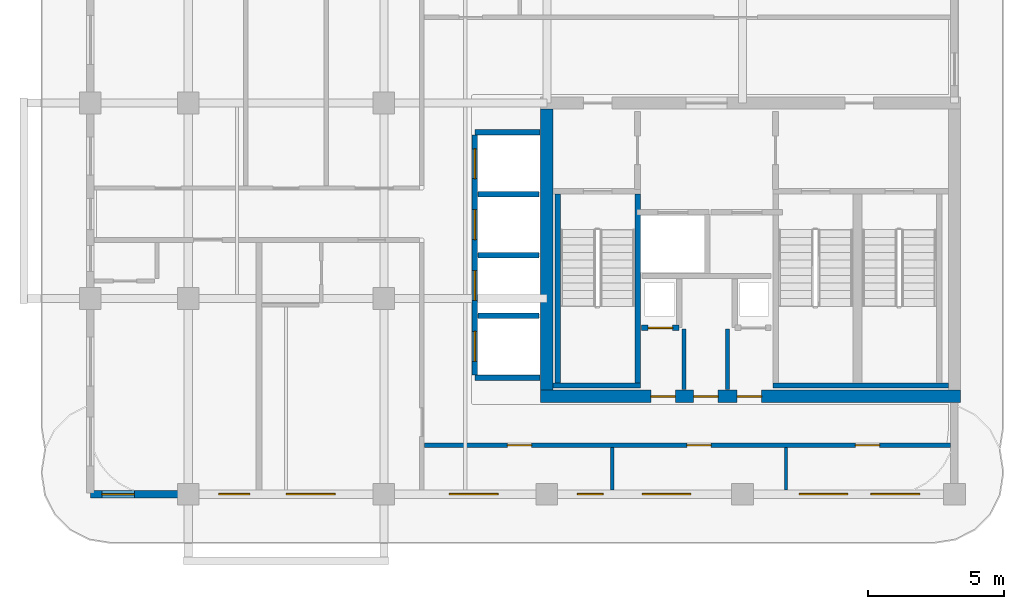
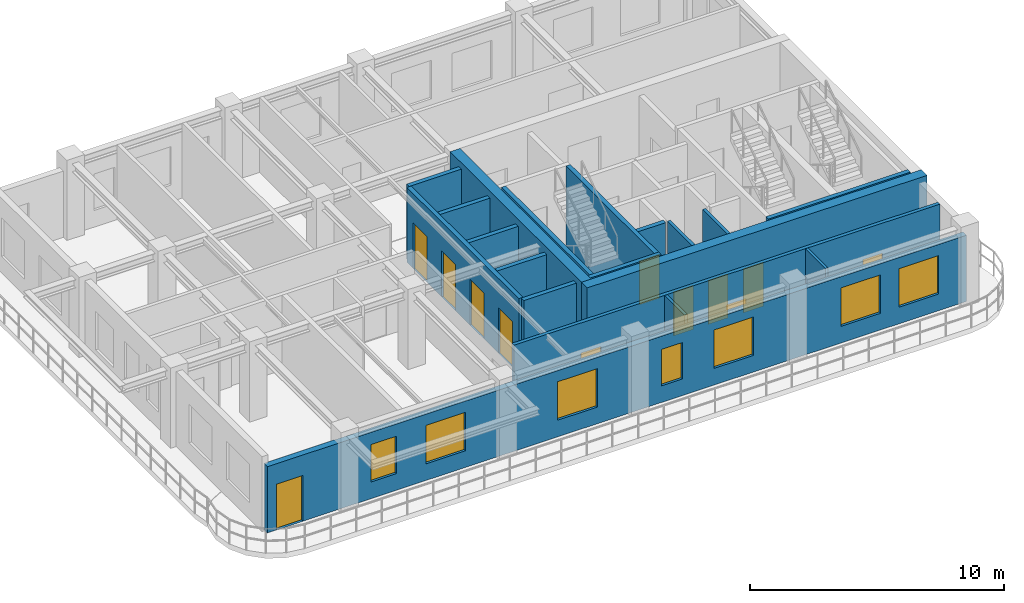
# One storey, part 3 of 7: 19 walls, 12 doors, 7 windows, 19 openings.
"""IFC4 building model written with IfcOpenShell, lengths in metres."""

from ifc_helpers import new_model, si_unit, derived_unit, direction, frame, frame_2d, origin, place, context, subcontext, project, spatial, rectangle, extrude, source, transform, mapped, material, layer, layer_set, type_object, type_shapes, element, fill, save


model = new_model("IFC4")

# Units and contexts
model_context = context("Model", 3, precision=1e-05, world=origin(), true_north=direction((0.0, 1.0)))
body_context = subcontext(model_context, "Body", "Model", "MODEL_VIEW")
ifc_project = project(units=[si_unit("LENGTHUNIT", "METRE"), si_unit("AREAUNIT", "SQUARE_METRE"), si_unit("VOLUMEUNIT", "CUBIC_METRE"), si_unit("PLANEANGLEUNIT", "RADIAN"), si_unit("MASSUNIT", "GRAM", prefix="KILO"), si_unit("THERMODYNAMICTEMPERATUREUNIT", "KELVIN"), si_unit("POWERUNIT", "WATT"), derived_unit("THERMALTRANSMITTANCEUNIT", [(si_unit("POWERUNIT", "WATT"), 1), (si_unit("AREAUNIT", "SQUARE_METRE"), -1), (si_unit("THERMODYNAMICTEMPERATUREUNIT", "KELVIN"), -1)])], contexts=[model_context])

# Site, building, storey
site_placement = place(None, origin())
site = spatial("IfcSite", under=ifc_project, at=site_placement, CompositionType="ELEMENT")
building_placement = place(site_placement, origin())
building = spatial("IfcBuilding", under=site, at=building_placement, Name="Zahravan Archway Hotel and Residences", CompositionType="ELEMENT")
storey_placement = place(building_placement, frame((0.0, 0.0, 267.35009765625)))
storey = spatial("IfcBuildingStorey", under=building, at=storey_placement, Name="L67", CompositionType="ELEMENT", Elevation=267.35009765625)

# Wall, openings, doors
ifc_material_1 = material(Name="Concrete C50/60", Category="concrete")
ifc_layer_1 = layer(ifc_material_1, 0.449951171875, Name="Concrete C50/60", Category="concrete")
ifc_layer_set_1 = layer_set([ifc_layer_1], Name="Concrete C50/60")
wall_type_1 = type_object("IfcWallType", Name="CW-CORE-450", PredefinedType="SHEAR", material=ifc_layer_set_1)
wall_1_placement = place(storey_placement, frame((34.574951171875, 3.60009765625, 0.0), z_axis=(0.0, 0.0, 1.0), x_axis=(1.0, 0.0, 0.0)))
wall_1 = element("IfcWall", 1, at=wall_1_placement, inside=storey, type_object=wall_type_1, Name="L67 Core A Shear S Wall 450 mm", PredefinedType="SHEAR", context=body_context, shape_type="SweptSolid", body=[
    extrude(rectangle(XDim=15.449951171875, YDim=0.449951171875, at=frame_2d((7.72509765625, 0.0))), origin(), (0.0, 0.0, 1.0), 3.849853515625),
])
opening_1_placement = place(wall_1_placement, frame((4.054931640625, 0.0, 0.0)))
opening_1 = element("IfcOpeningElement", 2, at=opening_1_placement, cuts=wall_1, Name="Opening FD-R1", PredefinedType="OPENING", context=body_context, shape_type="SweptSolid", body=[
    extrude(rectangle(XDim=0.89990234375, YDim=2.10009765625, at=frame_2d((0.449951171875, 1.050048828125))), frame((0.0, 0.23486328125, 0.0), z_axis=(0.0, -1.0, 0.0), x_axis=(1.0, 0.0, 0.0)), (0.0, 0.0, 1.0), 0.469970703125),
])
opening_2_placement = place(wall_1_placement, frame((5.625, 0.0, 0.0)))
opening_2 = element("IfcOpeningElement", 3, at=opening_2_placement, cuts=wall_1, Name="Opening FD-R1", PredefinedType="OPENING", context=body_context, shape_type="SweptSolid", body=[
    extrude(rectangle(XDim=0.89990234375, YDim=2.10009765625, at=frame_2d((0.449951171875, 1.050048828125))), frame((0.0, 0.23486328125, 0.0), z_axis=(0.0, -1.0, 0.0), x_axis=(1.0, 0.0, 0.0)), (0.0, 0.0, 1.0), 0.469970703125),
])
opening_3_placement = place(wall_1_placement, frame((7.22509765625, 0.0, 0.0)))
opening_3 = element("IfcOpeningElement", 4, at=opening_3_placement, cuts=wall_1, Name="Opening FD-R1", PredefinedType="OPENING", context=body_context, shape_type="SweptSolid", body=[
    extrude(rectangle(XDim=0.89990234375, YDim=2.10009765625, at=frame_2d((0.449951171875, 1.050048828125))), frame((0.0, 0.23486328125, 0.0), z_axis=(0.0, -1.0, 0.0), x_axis=(1.0, 0.0, 0.0)), (0.0, 0.0, 1.0), 0.469970703125),
])
ifc_material_2 = material(Name="Fire-Rated Painted Steel", Category="steel")
door_type_1 = type_object("IfcDoorType", Name="FD-RISER-900", OperationType="NOTDEFINED", PredefinedType="DOOR", material=ifc_material_2)
shared_shape_1 = source(origin(), body_context, "Body", "SweptSolid", [
    extrude(rectangle(XDim=0.89990234375, YDim=2.10009765625, at=frame_2d((0.449951171875, 1.050048828125))), frame((0.0, 0.02490234375, 0.0), z_axis=(0.0, -1.0, 0.0), x_axis=(1.0, 0.0, 0.0)), (0.0, 0.0, 1.0), 0.050048828125),
])
type_shapes(door_type_1, [shared_shape_1])
door_1_placement = place(opening_1_placement, origin())
door_1 = element("IfcDoor", 5, at=door_1_placement, inside=storey, type_object=door_type_1, Name="L67 Linen Store Door", OperationType="SINGLE_SWING_RIGHT", OverallHeight=2.10009765625, OverallWidth=0.89990234375, PredefinedType="DOOR", context=body_context, shape_type="MappedRepresentation", body=[
    mapped(shared_shape_1, transform((0.0, 0.0, 0.0), scale=1.0)),
])
fill(opening_1, door_1)
door_2_placement = place(opening_2_placement, origin())
door_2 = element("IfcDoor", 6, at=door_2_placement, inside=storey, type_object=door_type_1, Name="L67 Housekeeping Store Door", OperationType="SINGLE_SWING_LEFT", OverallHeight=2.10009765625, OverallWidth=0.89990234375, PredefinedType="DOOR", context=body_context, shape_type="MappedRepresentation", body=[
    mapped(shared_shape_1, transform((0.0, 0.0, 0.0), scale=1.0)),
])
fill(opening_2, door_2)
door_3_placement = place(opening_3_placement, origin())
door_3 = element("IfcDoor", 7, at=door_3_placement, inside=storey, type_object=door_type_1, Name="L67 Janitor Store Door", OperationType="SINGLE_SWING_RIGHT", OverallHeight=2.10009765625, OverallWidth=0.89990234375, PredefinedType="DOOR", context=body_context, shape_type="MappedRepresentation", body=[
    mapped(shared_shape_1, transform((0.0, 0.0, 0.0), scale=1.0)),
])
fill(opening_3, door_3)

# Wall
wall_2_placement = place(storey_placement, frame((34.800048828125, 3.824951171875, 0.0), z_axis=(0.0, 0.0, 1.0), x_axis=(0.0, 1.0, 0.0)))
element("IfcWall", 8, at=wall_2_placement, inside=storey, type_object=wall_type_1, Name="L67 Core A Shear W Wall 450 mm", PredefinedType="SHEAR", context=body_context, shape_type="SweptSolid", body=[
    extrude(rectangle(XDim=10.35009765625, YDim=0.449951171875, at=frame_2d((5.175048828125, 0.0))), origin(), (0.0, 0.0, 1.0), 3.849853515625),
])

# Wall, openings, door, windows
ifc_material_3 = material(Name="Honed Red-Ochre Sandstone & Insulated Block", Category="masonry")
ifc_layer_2 = layer(ifc_material_3, 0.280029296875, Name="Honed Red-Ochre Sandstone & Insulated Block", Category="masonry")
ifc_layer_set_2 = layer_set([ifc_layer_2], Name="Honed Red-Ochre Sandstone & Insulated Block")
wall_type_2 = type_object("IfcWallType", Name="EW-LOG-280", PredefinedType="SOLIDWALL", material=ifc_layer_set_2)
wall_3_placement = place(storey_placement, frame((18.0, 0.0, 0.0), z_axis=(0.0, 0.0, 1.0), x_axis=(1.0, 0.0, 0.0)))
wall_3 = element("IfcWall", 9, at=wall_3_placement, inside=storey, type_object=wall_type_2, Name="L67 Exterior Sandstone Wall WA-S", PredefinedType="SOLIDWALL", context=body_context, shape_type="SweptSolid", body=[
    extrude(rectangle(XDim=31.800048828125, YDim=0.280029296875, at=frame_2d((15.89990234375, 0.0))), origin(), (0.0, 0.0, 1.0), 3.184814453125),
])
opening_4_placement = place(wall_3_placement, frame((0.419921875, 0.0, 0.0)))
opening_4 = element("IfcOpeningElement", 10, at=opening_4_placement, cuts=wall_3, Name="Opening ED-BL1", PredefinedType="OPENING", context=body_context, shape_type="SweptSolid", body=[
    extrude(rectangle(XDim=1.199951171875, YDim=2.199951171875, at=frame_2d((0.60009765625, 1.10009765625))), frame((0.0, 0.14990234375, 0.0), z_axis=(0.0, -1.0, 0.0), x_axis=(1.0, 0.0, 0.0)), (0.0, 0.0, 1.0), 0.300048828125),
])
opening_5_placement = place(wall_3_placement, frame((4.720947265625, 0.0, 0.800048828125)))
opening_5 = element("IfcOpeningElement", 11, at=opening_5_placement, cuts=wall_3, Name="Opening W-05", PredefinedType="OPENING", context=body_context, shape_type="SweptSolid", body=[
    extrude(rectangle(XDim=1.14990234375, YDim=1.800048828125, at=frame_2d((0.574951171875, 0.89990234375))), frame((0.0, 0.14990234375, 0.0), z_axis=(0.0, -1.0, 0.0), x_axis=(1.0, 0.0, 0.0)), (0.0, 0.0, 1.0), 0.300048828125),
])
opening_6_placement = place(wall_3_placement, frame((7.2041015625, 0.0, 0.800048828125)))
opening_6 = element("IfcOpeningElement", 12, at=opening_6_placement, cuts=wall_3, Name="Opening W-02", PredefinedType="OPENING", context=body_context, shape_type="SweptSolid", body=[
    extrude(rectangle(XDim=1.800048828125, YDim=1.85009765625, at=frame_2d((0.89990234375, 0.925048828125))), frame((0.0, 0.14990234375, 0.0), z_axis=(0.0, -1.0, 0.0), x_axis=(1.0, 0.0, 0.0)), (0.0, 0.0, 1.0), 0.300048828125),
])
opening_7_placement = place(wall_3_placement, frame((13.2041015625, 0.0, 0.800048828125)))
opening_7 = element("IfcOpeningElement", 13, at=opening_7_placement, cuts=wall_3, Name="Opening W-02", PredefinedType="OPENING", context=body_context, shape_type="SweptSolid", body=[
    extrude(rectangle(XDim=1.800048828125, YDim=1.85009765625, at=frame_2d((0.89990234375, 0.925048828125))), frame((0.0, 0.14990234375, 0.0), z_axis=(0.0, -1.0, 0.0), x_axis=(1.0, 0.0, 0.0)), (0.0, 0.0, 1.0), 0.300048828125),
])
opening_8_placement = place(wall_3_placement, frame((17.9208984375, 0.0, 0.800048828125)))
opening_8 = element("IfcOpeningElement", 14, at=opening_8_placement, cuts=wall_3, Name="Opening W-04", PredefinedType="OPENING", context=body_context, shape_type="SweptSolid", body=[
    extrude(rectangle(XDim=0.949951171875, YDim=1.75, at=frame_2d((0.47509765625, 0.875))), frame((0.0, 0.14990234375, 0.0), z_axis=(0.0, -1.0, 0.0), x_axis=(1.0, 0.0, 0.0)), (0.0, 0.0, 1.0), 0.300048828125),
])
opening_9_placement = place(wall_3_placement, frame((20.303955078125, 0.0, 0.800048828125)))
opening_9 = element("IfcOpeningElement", 15, at=opening_9_placement, cuts=wall_3, Name="Opening W-02", PredefinedType="OPENING", context=body_context, shape_type="SweptSolid", body=[
    extrude(rectangle(XDim=1.800048828125, YDim=1.85009765625, at=frame_2d((0.89990234375, 0.925048828125))), frame((0.0, 0.14990234375, 0.0), z_axis=(0.0, -1.0, 0.0), x_axis=(1.0, 0.0, 0.0)), (0.0, 0.0, 1.0), 0.300048828125),
])
opening_10_placement = place(wall_3_placement, frame((26.0810546875, 0.0, 0.800048828125)))
opening_10 = element("IfcOpeningElement", 16, at=opening_10_placement, cuts=wall_3, Name="Opening W-02", PredefinedType="OPENING", context=body_context, shape_type="SweptSolid", body=[
    extrude(rectangle(XDim=1.800048828125, YDim=1.85009765625, at=frame_2d((0.89990234375, 0.925048828125))), frame((0.0, 0.14990234375, 0.0), z_axis=(0.0, -1.0, 0.0), x_axis=(1.0, 0.0, 0.0)), (0.0, 0.0, 1.0), 0.300048828125),
])
opening_11_placement = place(wall_3_placement, frame((28.72705078125, 0.0, 0.800048828125)))
opening_11 = element("IfcOpeningElement", 17, at=opening_11_placement, cuts=wall_3, Name="Opening W-02", PredefinedType="OPENING", context=body_context, shape_type="SweptSolid", body=[
    extrude(rectangle(XDim=1.800048828125, YDim=1.85009765625, at=frame_2d((0.89990234375, 0.925048828125))), frame((0.0, 0.14990234375, 0.0), z_axis=(0.0, -1.0, 0.0), x_axis=(1.0, 0.0, 0.0)), (0.0, 0.0, 1.0), 0.300048828125),
])
ifc_material_4 = material(Name="Bronze-Anodized Glazed Aluminium", Category="aluminium")
door_type_2 = type_object("IfcDoorType", Name="ED-BALC-1200", OperationType="SLIDING_TO_LEFT", PredefinedType="DOOR", material=ifc_material_4)
shared_shape_2 = source(origin(), body_context, "Body", "SweptSolid", [
    extrude(rectangle(XDim=1.199951171875, YDim=2.199951171875, at=frame_2d((0.60009765625, 1.10009765625))), frame((0.0, 0.02490234375, 0.0), z_axis=(0.0, -1.0, 0.0), x_axis=(1.0, 0.0, 0.0)), (0.0, 0.0, 1.0), 0.050048828125),
])
type_shapes(door_type_2, [shared_shape_2])
door_4_placement = place(opening_4_placement, origin())
door_4 = element("IfcDoor", 18, at=door_4_placement, inside=storey, type_object=door_type_2, Name="L67 Outdoor Access Sliding Door (SLB-BAL-L67-SA)", OperationType="SLIDING_TO_LEFT", OverallHeight=2.199951171875, OverallWidth=1.199951171875, PredefinedType="DOOR", context=body_context, shape_type="MappedRepresentation", body=[
    mapped(shared_shape_2, transform((0.0, 0.0, 0.0), scale=1.0)),
])
fill(opening_4, door_4)
ifc_material_5 = material(Name="Bronze-Anodized Thermal-Break Aluminium & Low-E Glass", Category="aluminium")
window_type_1 = type_object("IfcWindowType", Name="WIN-NAR-950", PartitioningType="SINGLE_PANEL", PredefinedType="WINDOW", material=ifc_material_5)
shared_shape_3 = source(origin(), body_context, "Body", "SweptSolid", [
    extrude(rectangle(XDim=0.949951171875, YDim=1.75, at=frame_2d((0.47509765625, 0.875))), frame((0.0, 0.030029296875, 0.0), z_axis=(0.0, -1.0, 0.0), x_axis=(1.0, 0.0, 0.0)), (0.0, 0.0, 1.0), 0.06005859375),
])
type_shapes(window_type_1, [shared_shape_3])
window_1_placement = place(opening_8_placement, origin())
window_1 = element("IfcWindow", 19, at=window_1_placement, inside=storey, type_object=window_type_1, Name="L67 Loggia Window 04", OverallHeight=1.75, OverallWidth=0.949951171875, PartitioningType="SINGLE_PANEL", PredefinedType="WINDOW", context=body_context, shape_type="MappedRepresentation", body=[
    mapped(shared_shape_3, transform((0.0, 0.0, 0.0), scale=1.0)),
])
fill(opening_8, window_1)
window_type_2 = type_object("IfcWindowType", Name="WIN-TWR-1800", PartitioningType="DOUBLE_PANEL_VERTICAL", PredefinedType="WINDOW", material=ifc_material_5)
shared_shape_4 = source(origin(), body_context, "Body", "SweptSolid", [
    extrude(rectangle(XDim=1.800048828125, YDim=1.85009765625, at=frame_2d((0.89990234375, 0.925048828125))), frame((0.0, 0.030029296875, 0.0), z_axis=(0.0, -1.0, 0.0), x_axis=(1.0, 0.0, 0.0)), (0.0, 0.0, 1.0), 0.06005859375),
])
type_shapes(window_type_2, [shared_shape_4])
window_2_placement = place(opening_6_placement, origin())
window_2 = element("IfcWindow", 20, at=window_2_placement, inside=storey, type_object=window_type_2, Name="L67 Loggia Window 02", OverallHeight=1.85009765625, OverallWidth=1.800048828125, PartitioningType="DOUBLE_PANEL_VERTICAL", PredefinedType="WINDOW", context=body_context, shape_type="MappedRepresentation", body=[
    mapped(shared_shape_4, transform((0.0, 0.0, 0.0), scale=1.0)),
])
fill(opening_6, window_2)
window_3_placement = place(opening_7_placement, origin())
window_3 = element("IfcWindow", 21, at=window_3_placement, inside=storey, type_object=window_type_2, Name="L67 Loggia Window 03", OverallHeight=1.85009765625, OverallWidth=1.800048828125, PartitioningType="DOUBLE_PANEL_VERTICAL", PredefinedType="WINDOW", context=body_context, shape_type="MappedRepresentation", body=[
    mapped(shared_shape_4, transform((0.0, 0.0, 0.0), scale=1.0)),
])
fill(opening_7, window_3)
window_4_placement = place(opening_9_placement, origin())
window_4 = element("IfcWindow", 22, at=window_4_placement, inside=storey, type_object=window_type_2, Name="L67 Loggia Window 05", OverallHeight=1.85009765625, OverallWidth=1.800048828125, PartitioningType="DOUBLE_PANEL_VERTICAL", PredefinedType="WINDOW", context=body_context, shape_type="MappedRepresentation", body=[
    mapped(shared_shape_4, transform((0.0, 0.0, 0.0), scale=1.0)),
])
fill(opening_9, window_4)
window_5_placement = place(opening_10_placement, origin())
window_5 = element("IfcWindow", 23, at=window_5_placement, inside=storey, type_object=window_type_2, Name="L67 Loggia Window 06", OverallHeight=1.85009765625, OverallWidth=1.800048828125, PartitioningType="DOUBLE_PANEL_VERTICAL", PredefinedType="WINDOW", context=body_context, shape_type="MappedRepresentation", body=[
    mapped(shared_shape_4, transform((0.0, 0.0, 0.0), scale=1.0)),
])
fill(opening_10, window_5)
window_6_placement = place(opening_11_placement, origin())
window_6 = element("IfcWindow", 24, at=window_6_placement, inside=storey, type_object=window_type_2, Name="L67 Loggia Window 07", OverallHeight=1.85009765625, OverallWidth=1.800048828125, PartitioningType="DOUBLE_PANEL_VERTICAL", PredefinedType="WINDOW", context=body_context, shape_type="MappedRepresentation", body=[
    mapped(shared_shape_4, transform((0.0, 0.0, 0.0), scale=1.0)),
])
fill(opening_11, window_6)
window_type_3 = type_object("IfcWindowType", Name="WIN-TWR-1150", PartitioningType="SINGLE_PANEL", PredefinedType="WINDOW", material=ifc_material_5)
shared_shape_5 = source(origin(), body_context, "Body", "SweptSolid", [
    extrude(rectangle(XDim=1.14990234375, YDim=1.800048828125, at=frame_2d((0.574951171875, 0.89990234375))), frame((0.0, 0.030029296875, 0.0), z_axis=(0.0, -1.0, 0.0), x_axis=(1.0, 0.0, 0.0)), (0.0, 0.0, 1.0), 0.06005859375),
])
type_shapes(window_type_3, [shared_shape_5])
window_7_placement = place(opening_5_placement, origin())
window_7 = element("IfcWindow", 25, at=window_7_placement, inside=storey, type_object=window_type_3, Name="L67 Loggia Window 01", OverallHeight=1.800048828125, OverallWidth=1.14990234375, PartitioningType="SINGLE_PANEL", PredefinedType="WINDOW", context=body_context, shape_type="MappedRepresentation", body=[
    mapped(shared_shape_5, transform((0.0, 0.0, 0.0), scale=1.0)),
])
fill(opening_5, window_7)

# Wall, openings, doors
ifc_material_6 = material(Name="Fire-Rated Gypsum & Concrete Block", Category="concrete")
ifc_layer_3 = layer(ifc_material_6, 0.159912109375, Name="Fire-Rated Gypsum & Concrete Block", Category="concrete")
ifc_layer_set_3 = layer_set([ifc_layer_3], Name="Fire-Rated Gypsum & Concrete Block")
wall_type_3 = type_object("IfcWallType", Name="PW-CORR-160", PredefinedType="PARTITIONING", material=ifc_layer_set_3)
wall_4_placement = place(storey_placement, frame((30.2900390625, 1.800048828125, 0.0), z_axis=(0.0, 0.0, 1.0), x_axis=(1.0, 0.0, 0.0)))
wall_4 = element("IfcWall", 26, at=wall_4_placement, inside=storey, type_object=wall_type_3, Name="L67 Partition WA-SRS", PredefinedType="PARTITIONING", context=body_context, shape_type="SweptSolid", body=[
    extrude(rectangle(XDim=19.369873046875, YDim=0.159912109375, at=frame_2d((9.68505859375, 0.0))), origin(), (0.0, 0.0, 1.0), 3.599853515625),
])
opening_12_placement = place(wall_4_placement, frame((3.0537109375, 0.0, 0.0)))
opening_12 = element("IfcOpeningElement", 27, at=opening_12_placement, cuts=wall_4, Name="Opening D-I2", PredefinedType="OPENING", context=body_context, shape_type="SweptSolid", body=[
    extrude(rectangle(XDim=0.89990234375, YDim=2.14990234375, at=frame_2d((0.449951171875, 1.074951171875))), frame((0.0, 0.08984375, 0.0), z_axis=(0.0, -1.0, 0.0), x_axis=(1.0, 0.0, 0.0)), (0.0, 0.0, 1.0), 0.179931640625),
])
opening_13_placement = place(wall_4_placement, frame((9.659912109375, 0.0, 0.0)))
opening_13 = element("IfcOpeningElement", 28, at=opening_13_placement, cuts=wall_4, Name="Opening D-I2", PredefinedType="OPENING", context=body_context, shape_type="SweptSolid", body=[
    extrude(rectangle(XDim=0.89990234375, YDim=2.14990234375, at=frame_2d((0.449951171875, 1.074951171875))), frame((0.0, 0.08984375, 0.0), z_axis=(0.0, -1.0, 0.0), x_axis=(1.0, 0.0, 0.0)), (0.0, 0.0, 1.0), 0.179931640625),
])
opening_14_placement = place(wall_4_placement, frame((15.860107421875, 0.0, 0.0)))
opening_14 = element("IfcOpeningElement", 29, at=opening_14_placement, cuts=wall_4, Name="Opening D-I2", PredefinedType="OPENING", context=body_context, shape_type="SweptSolid", body=[
    extrude(rectangle(XDim=0.89990234375, YDim=2.14990234375, at=frame_2d((0.449951171875, 1.074951171875))), frame((0.0, 0.08984375, 0.0), z_axis=(0.0, -1.0, 0.0), x_axis=(1.0, 0.0, 0.0)), (0.0, 0.0, 1.0), 0.179931640625),
])
ifc_material_7 = material(Name="Hardwood Veneer Timber", Category="wood")
door_type_3 = type_object("IfcDoorType", Name="ID-INT-900", OperationType="NOTDEFINED", PredefinedType="DOOR", material=ifc_material_7)
shared_shape_6 = source(origin(), body_context, "Body", "SweptSolid", [
    extrude(rectangle(XDim=0.89990234375, YDim=2.14990234375, at=frame_2d((0.449951171875, 1.074951171875))), frame((0.0, 0.02490234375, 0.0), z_axis=(0.0, -1.0, 0.0), x_axis=(1.0, 0.0, 0.0)), (0.0, 0.0, 1.0), 0.050048828125),
])
type_shapes(door_type_3, [shared_shape_6])
door_5_placement = place(opening_12_placement, origin())
door_5 = element("IfcDoor", 30, at=door_5_placement, inside=storey, type_object=door_type_3, Name="L67 South Office Door", OperationType="SINGLE_SWING_RIGHT", OverallHeight=2.14990234375, OverallWidth=0.89990234375, PredefinedType="DOOR", context=body_context, shape_type="MappedRepresentation", body=[
    mapped(shared_shape_6, transform((0.0, 0.0, 0.0), scale=1.0)),
])
fill(opening_12, door_5)
door_6_placement = place(opening_13_placement, origin())
door_6 = element("IfcDoor", 31, at=door_6_placement, inside=storey, type_object=door_type_3, Name="L67 South Meeting Door", OperationType="SINGLE_SWING_LEFT", OverallHeight=2.14990234375, OverallWidth=0.89990234375, PredefinedType="DOOR", context=body_context, shape_type="MappedRepresentation", body=[
    mapped(shared_shape_6, transform((0.0, 0.0, 0.0), scale=1.0)),
])
fill(opening_13, door_6)
door_7_placement = place(opening_14_placement, origin())
door_7 = element("IfcDoor", 32, at=door_7_placement, inside=storey, type_object=door_type_3, Name="L67 South Prayer Alcove Door", OperationType="SINGLE_SWING_RIGHT", OverallHeight=2.14990234375, OverallWidth=0.89990234375, PredefinedType="DOOR", context=body_context, shape_type="MappedRepresentation", body=[
    mapped(shared_shape_6, transform((0.0, 0.0, 0.0), scale=1.0)),
])
fill(opening_14, door_7)

# Walls
ifc_material_8 = material(Name="Acoustic Stud Partition")
ifc_layer_4 = layer(ifc_material_8, 0.125, Name="Acoustic Stud Partition")
ifc_layer_set_4 = layer_set([ifc_layer_4], Name="Acoustic Stud Partition")
wall_type_4 = type_object("IfcWallType", Name="PW-INT-125", PredefinedType="PARTITIONING", material=ifc_layer_set_4)
for number, where, z_axis, x_axis, name in (
    (33, (37.199951171875, 0.14794921875, 0.0), (0.0, 0.0, 1.0), (0.0, 1.0, 0.0), "L67 Partition S-DIV2A"),
    (34, (43.60009765625, 0.14794921875, 0.0), (0.0, 0.0, 1.0), (0.0, 1.0, 0.0), "L67 Partition S-DIV2B"),
):
    element("IfcWall", number, at=place(storey_placement, frame(where, z_axis=z_axis, x_axis=x_axis)), inside=storey, type_object=wall_type_4, Name=name, PredefinedType="PARTITIONING", context=body_context, shape_type="SweptSolid", body=[
        extrude(rectangle(XDim=1.56201171875, YDim=0.125, at=frame_2d((0.781005859375, 0.0))), origin(), (0.0, 0.0, 1.0), 3.599853515625),
    ])

# Wall, opening, door
ifc_layer_5 = layer(ifc_material_6, 0.199951171875, Name="Fire-Rated Gypsum & Concrete Block", Category="concrete")
ifc_layer_set_5 = layer_set([ifc_layer_5], Name="Fire-Rated Gypsum & Concrete Block")
wall_type_5 = type_object("IfcWallType", Name="PW-SHAFT-200", PredefinedType="PARTITIONING", material=ifc_layer_set_5)
wall_5_placement = place(storey_placement, frame((38.2900390625, 6.1201171875, 0.0), z_axis=(0.0, 0.0, 1.0), x_axis=(1.0, 0.0, 0.0)))
wall_5 = element("IfcWall", 35, at=wall_5_placement, inside=storey, type_object=wall_type_5, Name="L67 Partition CA-SMKS", PredefinedType="PARTITIONING", context=body_context, shape_type="SweptSolid", body=[
    extrude(rectangle(XDim=1.3798828125, YDim=0.199951171875, at=frame_2d((0.68994140625, 0.0))), origin(), (0.0, 0.0, 1.0), 3.599853515625),
])
opening_15_placement = place(wall_5_placement, frame((0.239990234375, 0.0, 0.0)))
opening_15 = element("IfcOpeningElement", 36, at=opening_15_placement, cuts=wall_5, Name="Opening FD-R1", PredefinedType="OPENING", context=body_context, shape_type="SweptSolid", body=[
    extrude(rectangle(XDim=0.89990234375, YDim=2.10009765625, at=frame_2d((0.449951171875, 1.050048828125))), frame((0.0, 0.10986328125, 0.0), z_axis=(0.0, -1.0, 0.0), x_axis=(1.0, 0.0, 0.0)), (0.0, 0.0, 1.0), 0.219970703125),
])
door_8_placement = place(opening_15_placement, origin())
door_8 = element("IfcDoor", 37, at=door_8_placement, inside=storey, type_object=door_type_1, Name="L67 Smoke Riser Access Door", OperationType="SINGLE_SWING_RIGHT", OverallHeight=2.10009765625, OverallWidth=0.89990234375, PredefinedType="DOOR", context=body_context, shape_type="MappedRepresentation", body=[
    mapped(shared_shape_1, transform((0.0, 0.0, 0.0), scale=1.0)),
])
fill(opening_15, door_8)

# Walls
for number, where, z_axis, x_axis, name in (
    (38, (32.159912109375, 4.280029296875, 0.0), (0.0, 0.0, 1.0), (1.0, 0.0, 0.0), "L67 Partition B3-S"),
    (39, (32.159912109375, 13.320068359375, 0.0), (0.0, 0.0, 1.0), (1.0, 0.0, 0.0), "L67 Partition B3-N"),
):
    element("IfcWall", number, at=place(storey_placement, frame(where, z_axis=z_axis, x_axis=x_axis)), inside=storey, type_object=wall_type_5, Name=name, PredefinedType="PARTITIONING", context=body_context, shape_type="SweptSolid", body=[
        extrude(rectangle(XDim=2.385009765625, YDim=0.199951171875, at=frame_2d((1.1923828125, 0.0))), origin(), (0.0, 0.0, 1.0), 3.599853515625),
    ])

# Wall, openings, doors
wall_6_placement = place(storey_placement, frame((32.14990234375, 4.389892578125, 0.0), z_axis=(0.0, 0.0, 1.0), x_axis=(0.0, 1.0, 0.0)))
wall_6 = element("IfcWall", 40, at=wall_6_placement, inside=storey, type_object=wall_type_5, Name="L67 Partition B3-W", PredefinedType="PARTITIONING", context=body_context, shape_type="SweptSolid", body=[
    extrude(rectangle(XDim=8.820068359375, YDim=0.199951171875, at=frame_2d((4.41015625, 0.0))), origin(), (0.0, 0.0, 1.0), 3.599853515625),
])
opening_16_placement = place(wall_6_placement, frame((0.5, 0.0, 0.0)))
opening_16 = element("IfcOpeningElement", 41, at=opening_16_placement, cuts=wall_6, Name="Opening LD", PredefinedType="OPENING", context=body_context, shape_type="SweptSolid", body=[
    extrude(rectangle(XDim=1.10009765625, YDim=2.199951171875, at=frame_2d((0.550048828125, 1.10009765625))), frame((0.0, 0.10986328125, 0.0), z_axis=(0.0, -1.0, 0.0), x_axis=(1.0, 0.0, 0.0)), (0.0, 0.0, 1.0), 0.219970703125),
])
opening_17_placement = place(wall_6_placement, frame((2.739990234375, 0.0, 0.0)))
opening_17 = element("IfcOpeningElement", 42, at=opening_17_placement, cuts=wall_6, Name="Opening LD", PredefinedType="OPENING", context=body_context, shape_type="SweptSolid", body=[
    extrude(rectangle(XDim=1.10009765625, YDim=2.199951171875, at=frame_2d((0.550048828125, 1.10009765625))), frame((0.0, 0.10986328125, 0.0), z_axis=(0.0, -1.0, 0.0), x_axis=(1.0, 0.0, 0.0)), (0.0, 0.0, 1.0), 0.219970703125),
])
opening_18_placement = place(wall_6_placement, frame((4.97998046875, 0.0, 0.0)))
opening_18 = element("IfcOpeningElement", 43, at=opening_18_placement, cuts=wall_6, Name="Opening LD", PredefinedType="OPENING", context=body_context, shape_type="SweptSolid", body=[
    extrude(rectangle(XDim=1.10009765625, YDim=2.199951171875, at=frame_2d((0.550048828125, 1.10009765625))), frame((0.0, 0.10986328125, 0.0), z_axis=(0.0, -1.0, 0.0), x_axis=(1.0, 0.0, 0.0)), (0.0, 0.0, 1.0), 0.219970703125),
])
opening_19_placement = place(wall_6_placement, frame((7.219970703125, 0.0, 0.0)))
opening_19 = element("IfcOpeningElement", 44, at=opening_19_placement, cuts=wall_6, Name="Opening LD", PredefinedType="OPENING", context=body_context, shape_type="SweptSolid", body=[
    extrude(rectangle(XDim=1.10009765625, YDim=2.199951171875, at=frame_2d((0.550048828125, 1.10009765625))), frame((0.0, 0.10986328125, 0.0), z_axis=(0.0, -1.0, 0.0), x_axis=(1.0, 0.0, 0.0)), (0.0, 0.0, 1.0), 0.219970703125),
])
ifc_material_9 = material(Name="Brushed Stainless Steel", Category="steel")
door_type_4 = type_object("IfcDoorType", Name="DR-LIFT-LD", OperationType="SLIDING_TO_LEFT", PredefinedType="DOOR", material=ifc_material_9)
shared_shape_7 = source(origin(), body_context, "Body", "SweptSolid", [
    extrude(rectangle(XDim=1.10009765625, YDim=2.199951171875, at=frame_2d((0.550048828125, 1.10009765625))), frame((0.0, 0.02490234375, 0.0), z_axis=(0.0, -1.0, 0.0), x_axis=(1.0, 0.0, 0.0)), (0.0, 0.0, 1.0), 0.050048828125),
])
type_shapes(door_type_4, [shared_shape_7])
door_9_placement = place(opening_16_placement, origin())
door_9 = element("IfcDoor", 45, at=door_9_placement, inside=storey, type_object=door_type_4, Name="L67 Lift LP-7 Sliding Landing Door", OperationType="SLIDING_TO_LEFT", OverallHeight=2.199951171875, OverallWidth=1.10009765625, PredefinedType="DOOR", context=body_context, shape_type="MappedRepresentation", body=[
    mapped(shared_shape_7, transform((0.0, 0.0, 0.0), scale=1.0)),
])
fill(opening_16, door_9)
door_10_placement = place(opening_17_placement, origin())
door_10 = element("IfcDoor", 46, at=door_10_placement, inside=storey, type_object=door_type_4, Name="L67 Lift LP-8 Sliding Landing Door", OperationType="SLIDING_TO_LEFT", OverallHeight=2.199951171875, OverallWidth=1.10009765625, PredefinedType="DOOR", context=body_context, shape_type="MappedRepresentation", body=[
    mapped(shared_shape_7, transform((0.0, 0.0, 0.0), scale=1.0)),
])
fill(opening_17, door_10)
door_11_placement = place(opening_18_placement, origin())
door_11 = element("IfcDoor", 47, at=door_11_placement, inside=storey, type_object=door_type_4, Name="L67 Lift LP-9 Sliding Landing Door", OperationType="SLIDING_TO_LEFT", OverallHeight=2.199951171875, OverallWidth=1.10009765625, PredefinedType="DOOR", context=body_context, shape_type="MappedRepresentation", body=[
    mapped(shared_shape_7, transform((0.0, 0.0, 0.0), scale=1.0)),
])
fill(opening_18, door_11)
door_12_placement = place(opening_19_placement, origin())
door_12 = element("IfcDoor", 48, at=door_12_placement, inside=storey, type_object=door_type_4, Name="L67 Lift LP-10 Sliding Landing Door", OperationType="SLIDING_TO_LEFT", OverallHeight=2.199951171875, OverallWidth=1.10009765625, PredefinedType="DOOR", context=body_context, shape_type="MappedRepresentation", body=[
    mapped(shared_shape_7, transform((0.0, 0.0, 0.0), scale=1.0)),
])
fill(opening_19, door_12)

# Walls
for number, where, z_axis, x_axis, name in (
    (49, (32.260009765625, 6.56005859375, 0.0), (0.0, 0.0, 1.0), (1.0, 0.0, 0.0), "L67 Partition B3-D"),
    (50, (32.260009765625, 8.800048828125, 0.0), (0.0, 0.0, 1.0), (1.0, 0.0, 0.0), "L67 Partition B3-D"),
    (51, (32.260009765625, 11.0400390625, 0.0), (0.0, 0.0, 1.0), (1.0, 0.0, 0.0), "L67 Partition B3-D"),
):
    element("IfcWall", number, at=place(storey_placement, frame(where, z_axis=z_axis, x_axis=x_axis)), inside=storey, type_object=wall_type_5, Name=name, PredefinedType="PARTITIONING", context=body_context, shape_type="SweptSolid", body=[
        extrude(rectangle(XDim=2.2548828125, YDim=0.199951171875, at=frame_2d((1.12744140625, 0.0))), origin(), (0.0, 0.0, 1.0), 3.599853515625),
    ])
ifc_material_10 = material(Name="Moisture-Resistant Blockwork", Category="masonry")
ifc_layer_6 = layer(ifc_material_10, 0.139892578125, Name="Moisture-Resistant Blockwork", Category="masonry")
ifc_layer_set_6 = layer_set([ifc_layer_6], Name="Moisture-Resistant Blockwork")
wall_type_6 = type_object("IfcWallType", Name="PW-WET-140", PredefinedType="PARTITIONING", material=ifc_layer_set_6)
for number, where, z_axis, x_axis, name in (
    (52, (39.85009765625, 3.844970703125, 0.0), (0.0, 0.0, 1.0), (0.0, 1.0, 0.0), "L67 Partition CA-CV1A"),
    (53, (41.449951171875, 3.844970703125, 0.0), (0.0, 0.0, 1.0), (0.0, 1.0, 0.0), "L67 Partition CA-CV1B"),
):
    element("IfcWall", number, at=place(storey_placement, frame(where, z_axis=z_axis, x_axis=x_axis)), inside=storey, type_object=wall_type_6, Name=name, PredefinedType="PARTITIONING", context=body_context, shape_type="SweptSolid", body=[
        extrude(rectangle(XDim=2.235107421875, YDim=0.139892578125, at=frame_2d((1.11767578125, 0.0))), origin(), (0.0, 0.0, 1.0), 3.599853515625),
    ])
ifc_layer_7 = layer(ifc_material_1, 0.199951171875, Name="Concrete C50/60", Category="concrete")
ifc_layer_set_7 = layer_set([ifc_layer_7], Name="Concrete C50/60")
wall_type_7 = type_object("IfcWallType", Name="SW-STAIR-200", PredefinedType="SHEAR", material=ifc_layer_set_7)
wall_7_placement = place(storey_placement, frame((35.02490234375, 4.0, 0.0), z_axis=(0.0, 0.0, 1.0), x_axis=(1.0, 0.0, 0.0)))
element("IfcWall", 54, at=wall_7_placement, inside=storey, type_object=wall_type_7, Name="L67 Stairwell RC Wall CA-SA1S", PredefinedType="SHEAR", context=body_context, shape_type="SweptSolid", body=[
    extrude(rectangle(XDim=3.215087890625, YDim=0.199951171875, at=frame_2d((1.607421875, 0.0))), origin(), (0.0, 0.0, 1.0), 3.849853515625),
])
for number, where, z_axis, x_axis, name in (
    (55, (35.199951171875, 4.10009765625, 0.0), (0.0, 0.0, 1.0), (0.0, 1.0, 0.0), "L67 Stairwell RC Wall CA-SA1W"),
    (56, (38.139892578125, 4.10009765625, 0.0), (0.0, 0.0, 1.0), (0.0, 1.0, 0.0), "L67 Stairwell RC Wall CA-SA1E"),
):
    element("IfcWall", number, at=place(storey_placement, frame(where, z_axis=z_axis, x_axis=x_axis)), inside=storey, type_object=wall_type_7, Name=name, PredefinedType="SHEAR", context=body_context, shape_type="SweptSolid", body=[
        extrude(rectangle(XDim=6.949951171875, YDim=0.199951171875, at=frame_2d((3.47509765625, 0.0))), origin(), (0.0, 0.0, 1.0), 3.849853515625),
    ])
wall_8_placement = place(storey_placement, frame((43.1201171875, 4.0, 0.0), z_axis=(0.0, 0.0, 1.0), x_axis=(1.0, 0.0, 0.0)))
element("IfcWall", 57, at=wall_8_placement, inside=storey, type_object=wall_type_7, Name="L67 Stairwell RC Wall CA-SA23S", PredefinedType="SHEAR", context=body_context, shape_type="SweptSolid", body=[
    extrude(rectangle(XDim=6.454833984375, YDim=0.199951171875, at=frame_2d((3.2275390625, 0.0))), origin(), (0.0, 0.0, 1.0), 3.849853515625),
])

save(model, "model.ifc")
